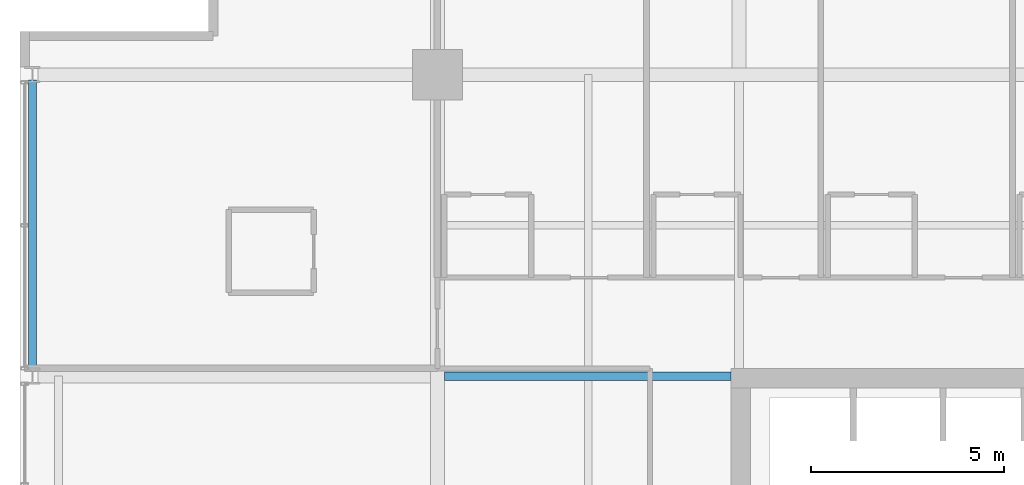
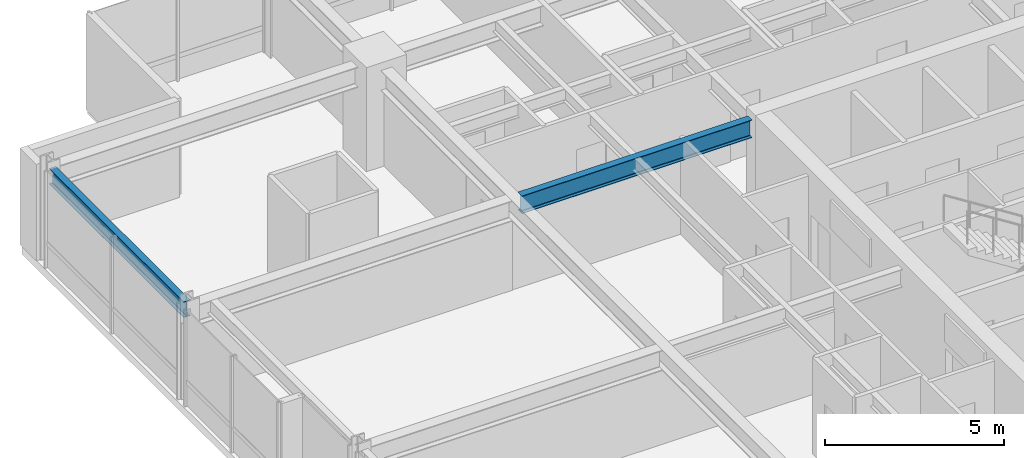
# One storey, part 17 of 32: 2 beams.
"""IFC4 building model written with IfcOpenShell, lengths in metres."""

from ifc_helpers import new_model, si_unit, direction, frame, origin, origin_2d, place, context, subcontext, project, spatial, i_section, extrude, material, material_profile, profile_set, type_object, element, save


model = new_model("IFC4")

# Units and contexts
model_context = context("Model", 3, precision=1e-05, world=origin(), true_north=direction((0.0, 1.0)))
body_context = subcontext(model_context, "Body", "Model", "MODEL_VIEW")
ifc_project = project(units=[si_unit("LENGTHUNIT", "METRE"), si_unit("AREAUNIT", "SQUARE_METRE"), si_unit("VOLUMEUNIT", "CUBIC_METRE"), si_unit("PLANEANGLEUNIT", "RADIAN"), si_unit("MASSUNIT", "GRAM", prefix="KILO")], contexts=[model_context])

# Site, building, storey
site_placement = place(None, origin())
site = spatial("IfcSite", under=ifc_project, at=site_placement, CompositionType="ELEMENT")
building_placement = place(site_placement, origin())
building = spatial("IfcBuilding", under=site, at=building_placement, Name="Drelvath Grand Hotel", CompositionType="ELEMENT")
storey_placement = place(building_placement, frame((0.0, 0.0, 157.5)))
storey = spatial("IfcBuildingStorey", under=building, at=storey_placement, Name="L40", CompositionType="ELEMENT", Elevation=157.5)

# Beams
ifc_material = material(Name="Steel ASTM A992 Gr 50", Category="steel")
ifc_material_profile_1 = material_profile(ifc_material, i_section(OverallWidth=0.210205078125, OverallDepth=0.53662109375, WebThickness=0.010986328125, FlangeThickness=0.017333984375, FilletRadius=0.01806640625, at=origin_2d()), Name="W21X68")
ifc_profile_set_1 = profile_set([ifc_material_profile_1], Name="Steel ASTM A992 Gr 50")
beam_type_1 = type_object("IfcBeamType", Name="Perimeter Spandrel Beam W21X68", PredefinedType="SPANDREL", material=ifc_profile_set_1)
beam_1_placement = place(storey_placement, frame((-26.679931640625, 35.5400390625, 3.021484375), z_axis=(0.0, 1.0, 0.0), x_axis=(-1.0, 0.0, 0.0)))
element("IfcBeam", 1, at=beam_1_placement, inside=storey, type_object=beam_type_1, Name="L40 Spandrel West N", PredefinedType="SPANDREL", context=body_context, shape_type="SweptSolid", body=[
    extrude(i_section(OverallWidth=0.210205078125, OverallDepth=0.53662109375, WebThickness=0.010986328125, FlangeThickness=0.017333984375, FilletRadius=0.01806640625, at=origin_2d()), origin(), (0.0, 0.0, 1.0), 7.52001953125),
])
ifc_material_profile_2 = material_profile(ifc_material, i_section(OverallWidth=0.228271484375, OverallDepth=0.607666015625, WebThickness=0.01123046875, FlangeThickness=0.017333984375, FilletRadius=0.02001953125, at=origin_2d()), Name="W24X76")
ifc_profile_set_2 = profile_set([ifc_material_profile_2], Name="Steel ASTM A992 Gr 50")
beam_type_2 = type_object("IfcBeamType", Name="Primary Floor Girder W24X76", PredefinedType="BEAM", material=ifc_profile_set_2)
beam_2_placement = place(storey_placement, frame((-16.022705078125, 35.39990234375, 2.986083984375), z_axis=(1.0, 0.0, 0.0), x_axis=(0.0, 1.0, 0.0)))
element("IfcBeam", 2, at=beam_2_placement, inside=storey, type_object=beam_type_2, Name="L40 West Core Tie F", PredefinedType="BEAM", context=body_context, shape_type="SweptSolid", body=[
    extrude(i_section(OverallWidth=0.228271484375, OverallDepth=0.607666015625, WebThickness=0.01123046875, FlangeThickness=0.017333984375, FilletRadius=0.02001953125, at=origin_2d()), origin(), (0.0, 0.0, 1.0), 7.422607421875),
])

save(model, "model.ifc")
